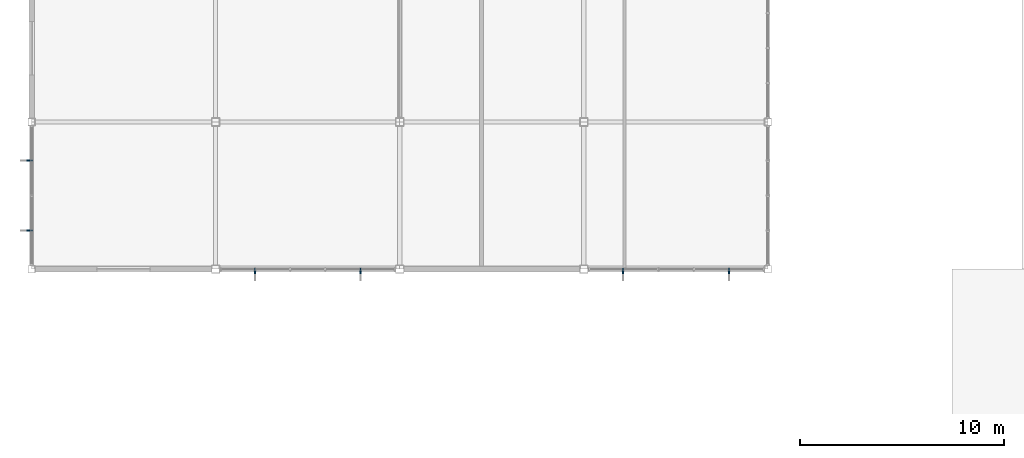
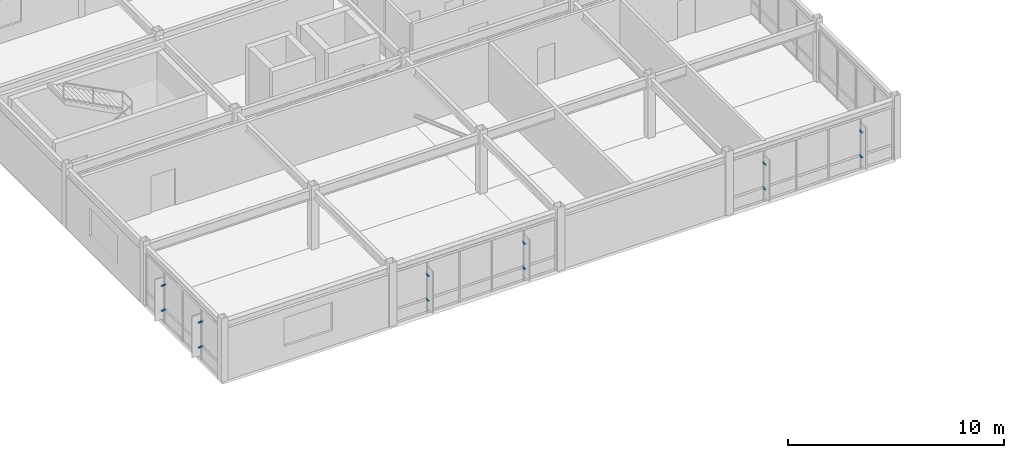
# One storey, part 31 of 34: 12 discrete accessories.
"""IFC4 building model written with IfcOpenShell, lengths in metres."""

from ifc_helpers import new_model, si_unit, direction, frame, origin, origin_2d, place, context, subcontext, project, spatial, rectangle, extrude, material, type_object, element, save


model = new_model("IFC4")

# Units and contexts
model_context = context("Model", 3, precision=1e-05, world=origin(), true_north=direction((0.0, 1.0)))
body_context = subcontext(model_context, "Body", "Model", "MODEL_VIEW")
ifc_project = project(units=[si_unit("LENGTHUNIT", "METRE"), si_unit("AREAUNIT", "SQUARE_METRE"), si_unit("VOLUMEUNIT", "CUBIC_METRE"), si_unit("PLANEANGLEUNIT", "RADIAN"), si_unit("MASSUNIT", "GRAM", prefix="KILO")], contexts=[model_context])

# Site, building, storey
site_placement = place(None, origin())
site = spatial("IfcSite", under=ifc_project, at=site_placement, CompositionType="ELEMENT")
building_placement = place(site_placement, origin())
building = spatial("IfcBuilding", under=site, at=building_placement, Name="Kazanami Central Library", CompositionType="ELEMENT")
storey_placement = place(building_placement, frame((0.0, 0.0, 17.0)))
storey = spatial("IfcBuildingStorey", under=building, at=storey_placement, Name="L05", CompositionType="ELEMENT", Elevation=17.0)

# Discrete accessories
ifc_material = material(Name="Stainless Steel SUS304", Category="steel")
discrete_accessory_type = type_object("IfcDiscreteAccessoryType", Name="ACC-BRK-1", PredefinedType="BRACKET", material=ifc_material)
for number, where, z_axis, x_axis, name in (
    (1, (10.919921875, 64.7099609375, 0.72998046875), (0.0, 0.0, 1.0), (1.0, 0.0, 0.0), "Solar Fin Outrigger Bracket L05 S-K-01.1.1"),
    (2, (10.919921875, 64.7099609375, 2.139892578125), (0.0, 0.0, 1.0), (1.0, 0.0, 0.0), "Solar Fin Outrigger Bracket L05 S-K-01.1.2"),
    (3, (16.080078125, 64.7099609375, 0.72998046875), (0.0, 0.0, 1.0), (1.0, 0.0, 0.0), "Solar Fin Outrigger Bracket L05 S-K-01.2.1"),
    (4, (16.080078125, 64.7099609375, 2.139892578125), (0.0, 0.0, 1.0), (1.0, 0.0, 0.0), "Solar Fin Outrigger Bracket L05 S-K-01.2.2"),
    (5, (28.925048828125, 64.7099609375, 0.72998046875), (0.0, 0.0, 1.0), (1.0, 0.0, 0.0), "Solar Fin Outrigger Bracket L05 S-K-03.1.1"),
    (6, (28.925048828125, 64.7099609375, 2.139892578125), (0.0, 0.0, 1.0), (1.0, 0.0, 0.0), "Solar Fin Outrigger Bracket L05 S-K-03.1.2"),
    (7, (34.10009765625, 64.7099609375, 0.72998046875), (0.0, 0.0, 1.0), (1.0, 0.0, 0.0), "Solar Fin Outrigger Bracket L05 S-K-03.2.1"),
    (8, (34.10009765625, 64.7099609375, 2.139892578125), (0.0, 0.0, 1.0), (1.0, 0.0, 0.0), "Solar Fin Outrigger Bracket L05 S-K-03.2.2"),
    (9, (-0.090087890625, 66.6875, 0.724853515625), (0.0, 0.0, 1.0), (0.0, 1.0, 0.0), "Solar Fin Outrigger Bracket L05 W-1-09.1.1"),
    (10, (-0.090087890625, 66.6875, 2.135009765625), (0.0, 0.0, 1.0), (0.0, 1.0, 0.0), "Solar Fin Outrigger Bracket L05 W-1-09.1.2"),
    (11, (-0.090087890625, 70.112548828125, 0.724853515625), (0.0, 0.0, 1.0), (0.0, 1.0, 0.0), "Solar Fin Outrigger Bracket L05 W-1-09.2.1"),
    (12, (-0.090087890625, 70.112548828125, 2.135009765625), (0.0, 0.0, 1.0), (0.0, 1.0, 0.0), "Solar Fin Outrigger Bracket L05 W-1-09.2.2"),
):
    element("IfcDiscreteAccessory", number, at=place(storey_placement, frame(where, z_axis=z_axis, x_axis=x_axis)), inside=storey, type_object=discrete_accessory_type, Name=name, PredefinedType="BRACKET", context=body_context, shape_type="SweptSolid", body=[
        extrude(rectangle(XDim=0.080078125, YDim=0.280029296875, at=origin_2d()), origin(), (0.0, 0.0, 1.0), 0.080078125),
    ])

save(model, "model.ifc")
